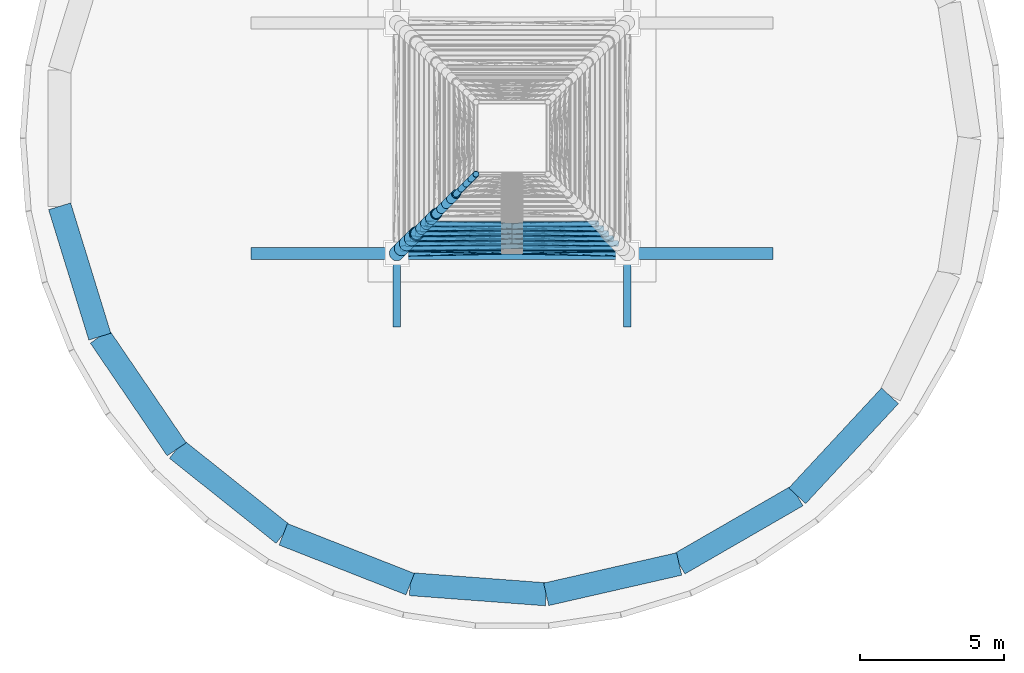
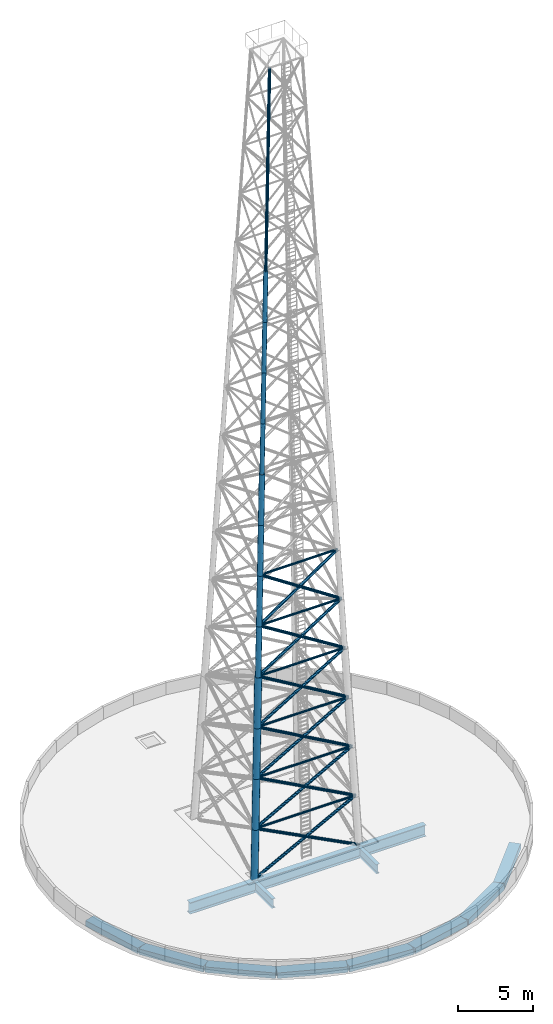
# One storey, part 1 of 9: 34 members, 11 beams.
"""IFC4 building model written with IfcOpenShell, lengths in metres."""

import ifcopenshell
import ifcopenshell.guid

model = None  # the IFC model being written
_history = None  # IfcOwnerHistory: only IFC2X3 demands one
_inside = {}  # id of a spatial element -> (the spatial element, [elements in it])
_under = {}  # id of a project, library or spatial element -> (it, [spatial elements below it])
_declared = {}  # id of a project -> (the project, [libraries it declares])
_typed = {}  # id of a type object -> (the type object, [elements of that type])
_made_of = {}  # id of a material, layer set ... -> (it, [elements and type objects made of it])


def new_model(schema):
    """Start an empty IFC model of exactly this schema.

    Asked for "IFC4X3", IfcOpenShell would pick the latest addendum, in which some entities
    have other attributes; the version numbers below select the first issue.
    IFC2X3 requires an IfcOwnerHistory on every rooted entity: one is made here for all.
    """
    global model, _history
    if schema == "IFC4X3":
        model = ifcopenshell.file(schema_version=(4, 3, 0, 0))
    else:
        model = ifcopenshell.file(schema=schema)
    _inside.clear()
    _under.clear()
    _declared.clear()
    _typed.clear()
    _made_of.clear()
    _history = None
    if model.schema == "IFC2X3":
        org = make("IfcOrganization", Name="unknown")
        user = make(
            "IfcPersonAndOrganization",
            ThePerson=make("IfcPerson", FamilyName="unknown"),
            TheOrganization=org,
        )
        app = make(
            "IfcApplication",
            ApplicationDeveloper=org,
            Version="unknown",
            ApplicationFullName="unknown",
            ApplicationIdentifier="unknown",
        )
        _history = make(
            "IfcOwnerHistory",
            OwningUser=user,
            OwningApplication=app,
            ChangeAction="ADDED",
            CreationDate=0,
        )
    return model


def make(cls, **values):
    """One entity of the class cls with the attributes given. An attribute that is None is left unset."""
    return model.create_entity(
        cls, **{name: value for name, value in values.items() if value is not None}
    )


def rooted(cls, **values):
    """An entity with a GlobalId (a new one), such as an element, a storey or a relation."""
    return make(cls, GlobalId=ifcopenshell.guid.new(), OwnerHistory=_history, **values)


def si_unit(unit_type, name, prefix=None):
    """IfcSIUnit, for example si_unit("LENGTHUNIT", "METRE", prefix="MILLI")."""
    return make("IfcSIUnit", UnitType=unit_type, Prefix=prefix, Name=name)


def assignment(units):
    """IfcUnitAssignment: the units of a project."""
    return None if units is None else make("IfcUnitAssignment", Units=units)


def point(xyz):
    """IfcCartesianPoint."""
    return None if xyz is None else make("IfcCartesianPoint", Coordinates=xyz)


def direction(xyz):
    """IfcDirection."""
    return None if xyz is None else make("IfcDirection", DirectionRatios=xyz)


def frame(location, z_axis=None, x_axis=None):
    """IfcAxis2Placement3D, a coordinate frame: its origin and axes. An axis left out is left unset."""
    return make(
        "IfcAxis2Placement3D",
        Location=point(location),
        Axis=direction(z_axis),
        RefDirection=direction(x_axis),
    )


def frame_2d(location, x_axis=None):
    """IfcAxis2Placement2D, a coordinate frame in the plane: its origin and x axis."""
    return make(
        "IfcAxis2Placement2D", Location=point(location), RefDirection=direction(x_axis)
    )


def origin():
    """The frame at (0, 0, 0) with its axes left unset."""
    return frame((0.0, 0.0, 0.0))


def origin_2d():
    """The frame at (0, 0) in the plane with its x axis left unset."""
    return frame_2d((0.0, 0.0))


def place(relative_to, where):
    """IfcLocalPlacement: puts the frame where relative to a parent placement (None: the world)."""
    return make(
        "IfcLocalPlacement", PlacementRelTo=relative_to, RelativePlacement=where
    )


def context(
    kind, dimensions, precision=None, world=None, true_north=None, identifier=None
):
    """IfcGeometricRepresentationContext, for example the 3D "Model" context."""
    return make(
        "IfcGeometricRepresentationContext",
        ContextIdentifier=identifier,
        ContextType=kind,
        CoordinateSpaceDimension=dimensions,
        Precision=precision,
        WorldCoordinateSystem=world,
        TrueNorth=true_north,
    )


def subcontext(parent, identifier, kind, view, scale=None):
    """IfcGeometricRepresentationSubContext, for example "Body" below "Model"."""
    return make(
        "IfcGeometricRepresentationSubContext",
        ContextIdentifier=identifier,
        ContextType=kind,
        ParentContext=parent,
        TargetScale=scale,
        TargetView=view,
    )


def project(units=None, contexts=None):
    """IfcProject with its units and contexts."""
    return rooted(
        "IfcProject",
        Name="project",
        RepresentationContexts=contexts,
        UnitsInContext=assignment(units),
    )


def spatial(cls, under=None, at=None, **own):
    """A site, building, storey or space (cls), placed at a placement, below another one or the project."""
    s = rooted(cls, ObjectPlacement=at, **own)
    if under is not None:
        _under.setdefault(under.id(), (under, []))[1].append(s)
    return s


def profile(cls, at=None, kind="AREA", **sizes):
    """A parametric profile (cls). Its sizes go by their IFC names, for example OverallWidth=200.0."""
    return make(cls, ProfileType=kind, Position=at, **sizes)


def rectangle(**sizes):
    """IfcRectangleProfileDef."""
    return profile("IfcRectangleProfileDef", **sizes)


def hollow_circle(**sizes):
    """IfcCircleHollowProfileDef."""
    return profile("IfcCircleHollowProfileDef", **sizes)


def i_section(**sizes):
    """IfcIShapeProfileDef."""
    return profile("IfcIShapeProfileDef", **sizes)


def extrude(swept, where, along, depth):
    """IfcExtrudedAreaSolid: the profile swept, set in the frame where, extruded along a direction by depth."""
    return make(
        "IfcExtrudedAreaSolid",
        SweptArea=swept,
        Position=where,
        ExtrudedDirection=direction(along),
        Depth=depth,
    )


def shape(context_of_items, identifier, shape_type, items):
    """IfcShapeRepresentation: the items that make up one representation, for example the "Body"."""
    return make(
        "IfcShapeRepresentation",
        ContextOfItems=context_of_items,
        RepresentationIdentifier=identifier,
        RepresentationType=shape_type,
        Items=items,
    )


def material(Name=None, Category=None):
    """IfcMaterial."""
    return make("IfcMaterial", Name=Name, Category=Category)


def material_profile(
    of_material, cross_section, Name=None, Category=None, Priority=None
):
    """IfcMaterialProfile: a cross section and its material."""
    return make(
        "IfcMaterialProfile",
        Name=Name,
        Material=of_material,
        Profile=cross_section,
        Priority=Priority,
        Category=Category,
    )


def profile_set(profiles, Name=None, composite=None):
    """IfcMaterialProfileSet."""
    return make(
        "IfcMaterialProfileSet",
        Name=Name,
        MaterialProfiles=profiles,
        CompositeProfile=composite,
    )


def made_of(thing, what):
    """Note that an element or type object is made of a material, layer set ...; save() writes the relation."""
    if what is not None:
        _made_of.setdefault(what.id(), (what, []))[1].append(thing)
    return thing


def type_object(cls, material=None, **own):
    """A type object (cls), such as IfcWallType, which elements share."""
    return made_of(rooted(cls, **own), material)


def element(
    cls,
    number,
    at=None,
    inside=None,
    cuts=None,
    type_object=None,
    material=None,
    context=None,
    identifier="Body",
    shape_type=None,
    held_by="IfcProductDefinitionShape",
    body=None,
    shapes=None,
    **own,
):
    """One element of the class cls, such as IfcWall. Its Tag is "e" and its number.

    at: its placement. inside: the storey or other place that contains it. cuts: it is an
    opening in that element (IfcRelVoidsElement). A single representation is given by context,
    identifier, shape_type and body (its items); several are given by shapes. held_by: the class
    of the entity that holds the representations. save() writes the other relations.
    """
    e = rooted(cls, Tag="e%d" % number, ObjectPlacement=at, **own)
    if body is not None:
        shapes = [shape(context, identifier, shape_type, body)]
    if shapes is not None:
        e.Representation = make(held_by, Representations=shapes)
    if inside is not None:
        _inside.setdefault(inside.id(), (inside, []))[1].append(e)
    if cuts is not None:
        rooted(
            "IfcRelVoidsElement", RelatingBuildingElement=cuts, RelatedOpeningElement=e
        )
    if type_object is not None:
        _typed.setdefault(type_object.id(), (type_object, []))[1].append(e)
    return made_of(e, material)


def aggregate(whole, parts):
    """IfcRelAggregates: a whole, such as a stair, and the parts it consists of."""
    return rooted("IfcRelAggregates", RelatingObject=whole, RelatedObjects=parts)


def save(model, path):
    """Write the relations noted so far, then the file.

    IfcRelAggregates (storeys below a building ...), IfcRelContainedInSpatialStructure (elements
    in a storey), IfcRelDefinesByType, IfcRelAssociatesMaterial and IfcRelDeclares: one each for
    every whole, place, type object, material and project.
    """
    for whole, parts in _under.values():
        aggregate(whole, parts)
    for where, things in _inside.values():
        rooted(
            "IfcRelContainedInSpatialStructure",
            RelatedElements=things,
            RelatingStructure=where,
        )
    for kind, things in _typed.values():
        rooted("IfcRelDefinesByType", RelatedObjects=things, RelatingType=kind)
    for what, things in _made_of.values():
        rooted("IfcRelAssociatesMaterial", RelatedObjects=things, RelatingMaterial=what)
    for by, libraries in _declared.values():
        rooted("IfcRelDeclares", RelatingContext=by, RelatedDefinitions=libraries)
    model.write(path)


model = new_model("IFC4")

# Units and contexts
model_context = context("Model", 3, precision=1e-05, world=origin(), true_north=direction((0.0, 1.0)))
body_context = subcontext(model_context, "Body", "Model", "MODEL_VIEW")
ifc_project = project(units=[si_unit("LENGTHUNIT", "METRE"), si_unit("AREAUNIT", "SQUARE_METRE"), si_unit("VOLUMEUNIT", "CUBIC_METRE"), si_unit("PLANEANGLEUNIT", "RADIAN"), si_unit("MASSUNIT", "GRAM", prefix="KILO")], contexts=[model_context])

# Site, building, storey
site_placement = place(None, origin())
site = spatial("IfcSite", under=ifc_project, at=site_placement, CompositionType="ELEMENT")
building_placement = place(site_placement, origin())
building = spatial("IfcBuilding", under=site, at=building_placement, Name="Tracery Tower", CompositionType="ELEMENT")
storey_placement = place(building_placement, frame((0.0, 0.0, 364.199951171875)))
storey = spatial("IfcBuildingStorey", under=building, at=storey_placement, Name="Roof", CompositionType="ELEMENT", Elevation=364.199951171875)

# Members
ifc_material_1 = material(Name="Steel S355", Category="steel")
ifc_material_profile_1 = material_profile(ifc_material_1, hollow_circle(Radius=0.109619140625, WallThickness=0.010009765625, at=origin_2d()), Name="CHS 219.1x10")
ifc_profile_set_1 = profile_set([ifc_material_profile_1], Name="Steel S355")
member_type_1 = type_object("IfcMemberType", Name="Mast diagonal MAST CHS 219.1x10", PredefinedType="BRACE", material=ifc_profile_set_1)
for number, where, z_axis, x_axis, name in (
    (1, (-4.0, -4.0, -0.349853515625), (0.892847479676, 0.019603437678, 0.44993230965), (-0.021950797554, 0.999759052215, 0.0), "Mast south face diagonal 1a"),
    (2, (4.0, -4.0, -0.349853515625), (-0.892847479676, 0.019603437678, 0.44993230965), (-0.021950797554, -0.999759052215, 0.0), "Mast south face diagonal 1b"),
):
    element("IfcMember", number, at=place(storey_placement, frame(where, z_axis=z_axis, x_axis=x_axis)), inside=storey, type_object=member_type_1, Name=name, PredefinedType="BRACE", context=body_context, shape_type="SweptSolid", body=[
        extrude(hollow_circle(Radius=0.109619140625, WallThickness=0.010009765625, at=origin_2d()), origin(), (0.0, 0.0, 1.0), 8.767578125),
    ])
for number, where, z_axis, x_axis, name in (
    (3, (-3.828125, -3.828125, 3.594970703125), (0.884446998079, 0.020310891396, 0.466198429083), (-0.022958456407, 0.999736419902, 0.0), "Mast south face diagonal 2a"),
    (4, (3.828125, -3.828125, 3.594970703125), (-0.884446998079, 0.020310891396, 0.466198429083), (-0.022958456407, -0.999736419902, 0.0), "Mast south face diagonal 2b"),
):
    element("IfcMember", number, at=place(storey_placement, frame(where, z_axis=z_axis, x_axis=x_axis)), inside=storey, type_object=member_type_1, Name=name, PredefinedType="BRACE", context=body_context, shape_type="SweptSolid", body=[
        extrude(hollow_circle(Radius=0.109619140625, WallThickness=0.010009765625, at=origin_2d()), origin(), (0.0, 0.0, 1.0), 8.462158203125),
    ])
for number, where, z_axis, x_axis, name in (
    (5, (-3.65625, -3.65625, 7.5400390625), (0.875102676395, 0.02106374057, 0.483478670263), (-0.024063052235, 0.999710442837, 0.0), "Mast south face diagonal 3a"),
    (6, (3.65625, -3.65625, 7.5400390625), (-0.875102676395, 0.02106374057, 0.483478670263), (-0.024063052235, -0.999710442837, 0.0), "Mast south face diagonal 3b"),
):
    element("IfcMember", number, at=place(storey_placement, frame(where, z_axis=z_axis, x_axis=x_axis)), inside=storey, type_object=member_type_1, Name=name, PredefinedType="BRACE", context=body_context, shape_type="SweptSolid", body=[
        extrude(hollow_circle(Radius=0.109619140625, WallThickness=0.010009765625, at=origin_2d()), origin(), (0.0, 0.0, 1.0), 8.15966796875),
    ])
for number, where, z_axis, x_axis, name in (
    (7, (-3.484375, -3.484375, 11.485107421875), (0.864678763798, 0.021865440004, 0.50184911873), (-0.025279275192, 0.99968042806, 0.0), "Mast south face diagonal 4a"),
    (8, (3.484375, -3.484375, 11.485107421875), (-0.864678763798, 0.021865440004, 0.50184911873), (-0.025279275192, -0.99968042806, 0.0), "Mast south face diagonal 4b"),
):
    element("IfcMember", number, at=place(storey_placement, frame(where, z_axis=z_axis, x_axis=x_axis)), inside=storey, type_object=member_type_1, Name=name, PredefinedType="BRACE", context=body_context, shape_type="SweptSolid", body=[
        extrude(hollow_circle(Radius=0.109619140625, WallThickness=0.010009765625, at=origin_2d()), origin(), (0.0, 0.0, 1.0), 7.860595703125),
    ])
for number, where, z_axis, x_axis, name in (
    (9, (-3.3125, -3.3125, 15.429931640625), (0.85297384544, 0.022718431719, 0.521459003044), (-0.026624940503, 0.999645493434, 0.0), "Mast south face diagonal 5a"),
    (10, (3.3125, -3.3125, 15.429931640625), (-0.85297384544, 0.022718431719, 0.521459003044), (-0.026624940503, -0.999645493434, 0.0), "Mast south face diagonal 5b"),
):
    element("IfcMember", number, at=place(storey_placement, frame(where, z_axis=z_axis, x_axis=x_axis)), inside=storey, type_object=member_type_1, Name=name, PredefinedType="BRACE", context=body_context, shape_type="SweptSolid", body=[
        extrude(hollow_circle(Radius=0.109619140625, WallThickness=0.010009765625, at=origin_2d()), origin(), (0.0, 0.0, 1.0), 7.5654296875),
    ])
for number, where, z_axis, x_axis, name in (
    (11, (-3.140625, -3.140625, 19.375), (0.839840558134, 0.023627227978, 0.542318717187), (-0.028121865789, 0.999604502123, 0.0), "Mast south face diagonal 6a"),
    (12, (3.140625, -3.140625, 19.375), (-0.839840558134, 0.023627227978, 0.542318717187), (-0.028121865789, -0.999604502123, 0.0), "Mast south face diagonal 6b"),
):
    element("IfcMember", number, at=place(storey_placement, frame(where, z_axis=z_axis, x_axis=x_axis)), inside=storey, type_object=member_type_1, Name=name, PredefinedType="BRACE", context=body_context, shape_type="SweptSolid", body=[
        extrude(hollow_circle(Radius=0.109619140625, WallThickness=0.010009765625, at=origin_2d()), origin(), (0.0, 0.0, 1.0), 7.2744140625),
    ])

# Beams
ifc_material_2 = material(Name="Steel S355", Category="steel")
ifc_material_profile_2 = material_profile(ifc_material_2, i_section(OverallWidth=0.26513671875, OverallDepth=0.75390625, WebThickness=0.0126953125, FlangeThickness=0.017578125, FilletRadius=0.0166015625, at=origin_2d()), Name="UKB 762x267x147")
ifc_profile_set_2 = profile_set([ifc_material_profile_2], Name="Steel S355")
beam_type_1 = type_object("IfcBeamType", Name="Mast grillage cross girder MAST UKB 762x267x147", PredefinedType="BEAM", material=ifc_profile_set_2)
for number, where, z_axis, x_axis, name in (
    (13, (-4.0, -6.550048828125, -0.77685546875), (0.0, 1.0, 0.0), (-1.0, 0.0, 0.0), "Mast grillage cross girder 1.1"),
    (14, (4.0, -6.550048828125, -0.77685546875), (0.0, 1.0, 0.0), (-1.0, 0.0, 0.0), "Mast grillage cross girder 2.1"),
):
    element("IfcBeam", number, at=place(storey_placement, frame(where, z_axis=z_axis, x_axis=x_axis)), inside=storey, type_object=beam_type_1, Name=name, PredefinedType="BEAM", context=body_context, shape_type="SweptSolid", body=[
        extrude(i_section(OverallWidth=0.26513671875, OverallDepth=0.75390625, WebThickness=0.0126953125, FlangeThickness=0.017578125, FilletRadius=0.0166015625, at=origin_2d()), origin(), (0.0, 0.0, 1.0), 2.3896484375),
    ])
ifc_material_3 = material(Name="Steel S355", Category="steel")
ifc_material_profile_3 = material_profile(ifc_material_3, i_section(OverallWidth=0.42041015625, OverallDepth=0.9208984375, WebThickness=0.021484375, FlangeThickness=0.03662109375, FilletRadius=0.024169921875, at=origin_2d()), Name="UKB 914x419x388")
ifc_profile_set_3 = profile_set([ifc_material_profile_3], Name="Steel S355")
beam_type_2 = type_object("IfcBeamType", Name="Mast grillage girder MAST UKB 914x419x388", PredefinedType="BEAM", material=ifc_profile_set_3)
beam_1_placement = place(storey_placement, frame((-9.050048828125, -4.0, -0.8603515625), z_axis=(1.0, 0.0, 0.0), x_axis=(0.0, 1.0, 0.0)))
element("IfcBeam", 15, at=beam_1_placement, inside=storey, type_object=beam_type_2, Name="Mast grillage girder 1", PredefinedType="BEAM", context=body_context, shape_type="SweptSolid", body=[
    extrude(i_section(OverallWidth=0.42041015625, OverallDepth=0.9208984375, WebThickness=0.021484375, FlangeThickness=0.03662109375, FilletRadius=0.024169921875, at=origin_2d()), origin(), (0.0, 0.0, 1.0), 18.10009765625),
])

# Members
ifc_material_4 = material(Name="Steel S355", Category="steel")
ifc_material_profile_4 = material_profile(ifc_material_4, hollow_circle(Radius=0.109619140625, WallThickness=0.010009765625, at=origin_2d()), Name="CHS 219.1x10")
ifc_profile_set_4 = profile_set([ifc_material_profile_4], Name="Steel S355")
member_type_2 = type_object("IfcMemberType", Name="Mast leg MAST CHS 219.1x10", PredefinedType="CHORD", material=ifc_profile_set_4)
member_1_placement = place(storey_placement, frame((-1.9375, -1.9375, 46.990234375), z_axis=(0.043487274046, 0.043487274046, 0.998107065395), x_axis=(-0.707106781187, 0.707106781187, 0.0)))
element("IfcMember", 16, at=member_1_placement, inside=storey, type_object=member_type_2, Name="Mast leg 1 panel 13", PredefinedType="CHORD", context=body_context, shape_type="SweptSolid", body=[
    extrude(hollow_circle(Radius=0.109619140625, WallThickness=0.010009765625, at=origin_2d()), origin(), (0.0, 0.0, 1.0), 3.952392578125),
])
for number, where, z_axis, x_axis, name in (
    (17, (-1.765625, -1.765625, 50.93505859375), (0.043484593013, 0.043484593013, 0.998107299012), (-0.707106781187, 0.707106781187, 0.0), "Mast leg 1 panel 14"),
    (18, (-1.59375, -1.59375, 54.880126953125), (0.043484593013, 0.043484593013, 0.998107299012), (-0.707106781187, 0.707106781187, 0.0), "Mast leg 1 panel 15"),
    (19, (-1.421875, -1.421875, 58.8251953125), (0.043484593013, 0.043484593013, 0.998107299012), (-0.707106781187, 0.707106781187, 0.0), "Mast leg 1 panel 16"),
):
    element("IfcMember", number, at=place(storey_placement, frame(where, z_axis=z_axis, x_axis=x_axis)), inside=storey, type_object=member_type_2, Name=name, PredefinedType="CHORD", context=body_context, shape_type="SweptSolid", body=[
        extrude(hollow_circle(Radius=0.109619140625, WallThickness=0.010009765625, at=origin_2d()), origin(), (0.0, 0.0, 1.0), 3.95263671875),
    ])
ifc_material_5 = material(Name="Steel S355", Category="steel")
ifc_material_profile_5 = material_profile(ifc_material_5, hollow_circle(Radius=0.161865234375, WallThickness=0.01611328125, at=origin_2d()), Name="CHS 323.9x16")
ifc_profile_set_5 = profile_set([ifc_material_profile_5], Name="Steel S355")
member_type_3 = type_object("IfcMemberType", Name="Mast leg MAST CHS 323.9x16", PredefinedType="CHORD", material=ifc_profile_set_5)
member_2_placement = place(storey_placement, frame((-2.625, -2.625, 31.210205078125), z_axis=(0.043487274046, 0.043487274046, 0.998107065395), x_axis=(-0.707106781187, 0.707106781187, 0.0)))
element("IfcMember", 20, at=member_2_placement, inside=storey, type_object=member_type_3, Name="Mast leg 1 panel 9", PredefinedType="CHORD", context=body_context, shape_type="SweptSolid", body=[
    extrude(hollow_circle(Radius=0.161865234375, WallThickness=0.01611328125, at=origin_2d()), origin(), (0.0, 0.0, 1.0), 3.952392578125),
])
for number, where, z_axis, x_axis, name in (
    (21, (-2.453125, -2.453125, 35.155029296875), (0.043484593013, 0.043484593013, 0.998107299012), (-0.707106781187, 0.707106781187, 0.0), "Mast leg 1 panel 10"),
    (22, (-2.28125, -2.28125, 39.10009765625), (0.043484593013, 0.043484593013, 0.998107299012), (-0.707106781187, 0.707106781187, 0.0), "Mast leg 1 panel 11"),
    (23, (-2.109375, -2.109375, 43.045166015625), (0.043484593013, 0.043484593013, 0.998107299012), (-0.707106781187, 0.707106781187, 0.0), "Mast leg 1 panel 12"),
):
    element("IfcMember", number, at=place(storey_placement, frame(where, z_axis=z_axis, x_axis=x_axis)), inside=storey, type_object=member_type_3, Name=name, PredefinedType="CHORD", context=body_context, shape_type="SweptSolid", body=[
        extrude(hollow_circle(Radius=0.161865234375, WallThickness=0.01611328125, at=origin_2d()), origin(), (0.0, 0.0, 1.0), 3.95263671875),
    ])
ifc_material_6 = material(Name="Steel S355", Category="steel")
ifc_material_profile_6 = material_profile(ifc_material_6, hollow_circle(Radius=0.203125, WallThickness=0.02001953125, at=origin_2d()), Name="CHS 406.4x20")
ifc_profile_set_6 = profile_set([ifc_material_profile_6], Name="Steel S355")
member_type_4 = type_object("IfcMemberType", Name="Mast leg MAST CHS 406.4x20", PredefinedType="CHORD", material=ifc_profile_set_6)
for number, where, z_axis, x_axis, name in (
    (24, (-3.3125, -3.3125, 15.429931640625), (0.043484593013, 0.043484593013, 0.998107299012), (-0.707106781187, 0.707106781187, 0.0), "Mast leg 1 panel 5"),
    (25, (-3.140625, -3.140625, 19.375), (0.043484593013, 0.043484593013, 0.998107299012), (-0.707106781187, 0.707106781187, 0.0), "Mast leg 1 panel 6"),
    (26, (-2.96875, -2.96875, 23.320068359375), (0.043484593013, 0.043484593013, 0.998107299012), (-0.707106781187, 0.707106781187, 0.0), "Mast leg 1 panel 7"),
    (27, (-2.796875, -2.796875, 27.26513671875), (0.043484593013, 0.043484593013, 0.998107299012), (-0.707106781187, 0.707106781187, 0.0), "Mast leg 1 panel 8"),
):
    element("IfcMember", number, at=place(storey_placement, frame(where, z_axis=z_axis, x_axis=x_axis)), inside=storey, type_object=member_type_4, Name=name, PredefinedType="CHORD", context=body_context, shape_type="SweptSolid", body=[
        extrude(hollow_circle(Radius=0.203125, WallThickness=0.02001953125, at=origin_2d()), origin(), (0.0, 0.0, 1.0), 3.95263671875),
    ])
ifc_material_7 = material(Name="Steel S355", Category="steel")
ifc_material_profile_7 = material_profile(ifc_material_7, hollow_circle(Radius=0.25390625, WallThickness=0.02490234375, at=origin_2d()), Name="CHS 508x25")
ifc_profile_set_7 = profile_set([ifc_material_profile_7], Name="Steel S355")
member_type_5 = type_object("IfcMemberType", Name="Mast leg MAST CHS 508x25", PredefinedType="CHORD", material=ifc_profile_set_7)
member_3_placement = place(storey_placement, frame((-4.0, -4.0, -0.349853515625), z_axis=(0.043487274046, 0.043487274046, 0.998107065395), x_axis=(-0.707106781187, 0.707106781187, 0.0)))
element("IfcMember", 28, at=member_3_placement, inside=storey, type_object=member_type_5, Name="Mast leg 1 panel 1", PredefinedType="CHORD", context=body_context, shape_type="SweptSolid", body=[
    extrude(hollow_circle(Radius=0.25390625, WallThickness=0.02490234375, at=origin_2d()), origin(), (0.0, 0.0, 1.0), 3.952392578125),
])
for number, where, z_axis, x_axis, name in (
    (29, (-3.828125, -3.828125, 3.594970703125), (0.043484593013, 0.043484593013, 0.998107299012), (-0.707106781187, 0.707106781187, 0.0), "Mast leg 1 panel 2"),
    (30, (-3.65625, -3.65625, 7.5400390625), (0.043484593013, 0.043484593013, 0.998107299012), (-0.707106781187, 0.707106781187, 0.0), "Mast leg 1 panel 3"),
):
    element("IfcMember", number, at=place(storey_placement, frame(where, z_axis=z_axis, x_axis=x_axis)), inside=storey, type_object=member_type_5, Name=name, PredefinedType="CHORD", context=body_context, shape_type="SweptSolid", body=[
        extrude(hollow_circle(Radius=0.25390625, WallThickness=0.02490234375, at=origin_2d()), origin(), (0.0, 0.0, 1.0), 3.95263671875),
    ])
member_4_placement = place(storey_placement, frame((-3.484375, -3.484375, 11.485107421875), z_axis=(0.043487274046, 0.043487274046, 0.998107065395), x_axis=(-0.707106781187, 0.707106781187, 0.0)))
element("IfcMember", 31, at=member_4_placement, inside=storey, type_object=member_type_5, Name="Mast leg 1 panel 4", PredefinedType="CHORD", context=body_context, shape_type="SweptSolid", body=[
    extrude(hollow_circle(Radius=0.25390625, WallThickness=0.02490234375, at=origin_2d()), origin(), (0.0, 0.0, 1.0), 3.952392578125),
])
ifc_material_8 = material(Name="Steel S355", Category="steel")
ifc_material_profile_8 = material_profile(ifc_material_8, hollow_circle(Radius=0.084228515625, WallThickness=0.008056640625, at=origin_2d()), Name="CHS 168.3x8")
ifc_profile_set_8 = profile_set([ifc_material_profile_8], Name="Steel S355")
member_type_6 = type_object("IfcMemberType", Name="Mast strut MAST CHS 168.3x8", PredefinedType="STRUT", material=ifc_profile_set_8)
member_5_placement = place(storey_placement, frame((-3.828125, -3.828125, 3.594970703125), z_axis=(1.0, 0.0, 0.0), x_axis=(0.0, 1.0, 0.0)))
element("IfcMember", 32, at=member_5_placement, inside=storey, type_object=member_type_6, Name="Mast south face strut 1", PredefinedType="STRUT", context=body_context, shape_type="SweptSolid", body=[
    extrude(hollow_circle(Radius=0.084228515625, WallThickness=0.008056640625, at=origin_2d()), origin(), (0.0, 0.0, 1.0), 7.65625),
])
member_6_placement = place(storey_placement, frame((-3.65625, -3.65625, 7.5400390625), z_axis=(1.0, 0.0, 0.0), x_axis=(0.0, 1.0, 0.0)))
element("IfcMember", 33, at=member_6_placement, inside=storey, type_object=member_type_6, Name="Mast south face strut 2", PredefinedType="STRUT", context=body_context, shape_type="SweptSolid", body=[
    extrude(hollow_circle(Radius=0.084228515625, WallThickness=0.008056640625, at=origin_2d()), origin(), (0.0, 0.0, 1.0), 7.3125),
])
member_7_placement = place(storey_placement, frame((-3.484375, -3.484375, 11.485107421875), z_axis=(1.0, 0.0, 0.0), x_axis=(0.0, 1.0, 0.0)))
element("IfcMember", 34, at=member_7_placement, inside=storey, type_object=member_type_6, Name="Mast south face strut 3", PredefinedType="STRUT", context=body_context, shape_type="SweptSolid", body=[
    extrude(hollow_circle(Radius=0.084228515625, WallThickness=0.008056640625, at=origin_2d()), origin(), (0.0, 0.0, 1.0), 6.96875),
])
member_8_placement = place(storey_placement, frame((-3.3125, -3.3125, 15.429931640625), z_axis=(1.0, 0.0, 0.0), x_axis=(0.0, 1.0, 0.0)))
element("IfcMember", 35, at=member_8_placement, inside=storey, type_object=member_type_6, Name="Mast south face strut 4", PredefinedType="STRUT", context=body_context, shape_type="SweptSolid", body=[
    extrude(hollow_circle(Radius=0.084228515625, WallThickness=0.008056640625, at=origin_2d()), origin(), (0.0, 0.0, 1.0), 6.625),
])
member_9_placement = place(storey_placement, frame((-3.140625, -3.140625, 19.375), z_axis=(1.0, 0.0, 0.0), x_axis=(0.0, 1.0, 0.0)))
element("IfcMember", 36, at=member_9_placement, inside=storey, type_object=member_type_6, Name="Mast south face strut 5", PredefinedType="STRUT", context=body_context, shape_type="SweptSolid", body=[
    extrude(hollow_circle(Radius=0.084228515625, WallThickness=0.008056640625, at=origin_2d()), origin(), (0.0, 0.0, 1.0), 6.28125),
])
member_10_placement = place(storey_placement, frame((-2.96875, -2.96875, 23.320068359375), z_axis=(1.0, 0.0, 0.0), x_axis=(0.0, 1.0, 0.0)))
element("IfcMember", 37, at=member_10_placement, inside=storey, type_object=member_type_6, Name="Mast south face strut 6", PredefinedType="STRUT", context=body_context, shape_type="SweptSolid", body=[
    extrude(hollow_circle(Radius=0.084228515625, WallThickness=0.008056640625, at=origin_2d()), origin(), (0.0, 0.0, 1.0), 5.9375),
])

# Beams
ifc_material_9 = material(Name="Concrete C40/50", Category="concrete")
ifc_material_profile_9 = material_profile(ifc_material_9, rectangle(XDim=0.800048828125, YDim=0.449951171875, at=origin_2d()), Name="RC 800x450")
ifc_profile_set_9 = profile_set([ifc_material_profile_9], Name="Concrete C40/50")
beam_type_3 = type_object("IfcBeamType", Name="Perimeter band beam 800x450 under 400 slab", PredefinedType="BEAM", material=ifc_profile_set_9)
beam_2_placement = place(storey_placement, frame((-15.697021484375, -2.365966796875, -0.625), z_axis=(0.294756498371, -0.955572397397, 0.0), x_axis=(0.955572397397, 0.294756498371, 0.0)))
element("IfcBeam", 38, at=beam_2_placement, inside=storey, type_object=beam_type_3, Name="Perimeter beam 2.11 under Roof", PredefinedType="BEAM", context=body_context, shape_type="SweptSolid", body=[
    extrude(rectangle(XDim=0.800048828125, YDim=0.449951171875, at=origin_2d()), origin(), (0.0, 0.0, 1.0), 4.73193359375),
])
beam_3_placement = place(storey_placement, frame((-14.30224609375, -6.8876953125, -0.625), z_axis=(0.563338425682, -0.826226251186, 0.0), x_axis=(0.826226251186, 0.563338425682, 0.0)))
element("IfcBeam", 39, at=beam_3_placement, inside=storey, type_object=beam_type_3, Name="Perimeter beam 2.12 under Roof", PredefinedType="BEAM", context=body_context, shape_type="SweptSolid", body=[
    extrude(rectangle(XDim=0.800048828125, YDim=0.449951171875, at=origin_2d()), origin(), (0.0, 0.0, 1.0), 4.731689453125),
])
beam_4_placement = place(storey_placement, frame((-11.63671875, -10.797119140625, -0.625), z_axis=(0.781829262657, -0.623492585404, 0.0), x_axis=(0.623492585404, 0.781829262657, 0.0)))
element("IfcBeam", 40, at=beam_4_placement, inside=storey, type_object=beam_type_3, Name="Perimeter beam 2.13 under Roof", PredefinedType="BEAM", context=body_context, shape_type="SweptSolid", body=[
    extrude(rectangle(XDim=0.800048828125, YDim=0.449951171875, at=origin_2d()), origin(), (0.0, 0.0, 1.0), 4.732177734375),
])
beam_5_placement = place(storey_placement, frame((-7.93701171875, -13.74755859375, -0.625), z_axis=(0.930866215869, -0.365360216982, 0.0), x_axis=(0.365360216982, 0.930866215869, 0.0)))
element("IfcBeam", 41, at=beam_5_placement, inside=storey, type_object=beam_type_3, Name="Perimeter beam 2.14 under Roof", PredefinedType="BEAM", context=body_context, shape_type="SweptSolid", body=[
    extrude(rectangle(XDim=0.800048828125, YDim=0.449951171875, at=origin_2d()), origin(), (0.0, 0.0, 1.0), 4.731689453125),
])
for number, where, z_axis, x_axis, name in (
    (42, (-3.532470703125, -15.476318359375, -0.625), (0.997205463138, -0.074707859614, 0.0), (0.074707859614, 0.997205463138, 0.0), "Perimeter beam 2.15 under Roof"),
    (43, (1.186279296875, -15.829833984375, -0.625), (0.974937858428, 0.222477352114, 0.0), (-0.222477352114, 0.974937858428, 0.0), "Perimeter beam 2.16 under Roof"),
    (44, (5.799560546875, -14.777099609375, -0.625), (0.865999135923, 0.500045494511, 0.0), (-0.500045494511, 0.865999135923, 0.0), "Perimeter beam 2.17 under Roof"),
):
    element("IfcBeam", number, at=place(storey_placement, frame(where, z_axis=z_axis, x_axis=x_axis)), inside=storey, type_object=beam_type_3, Name=name, PredefinedType="BEAM", context=body_context, shape_type="SweptSolid", body=[
        extrude(rectangle(XDim=0.800048828125, YDim=0.449951171875, at=origin_2d()), origin(), (0.0, 0.0, 1.0), 4.73193359375),
    ])
beam_6_placement = place(storey_placement, frame((9.8974609375, -12.410888671875, -0.625), z_axis=(0.680195761755, 0.733030508022, 0.0), x_axis=(-0.733030508022, 0.680195761755, 0.0)))
element("IfcBeam", 45, at=beam_6_placement, inside=storey, type_object=beam_type_3, Name="Perimeter beam 2.18 under Roof", PredefinedType="BEAM", context=body_context, shape_type="SweptSolid", body=[
    extrude(rectangle(XDim=0.800048828125, YDim=0.449951171875, at=origin_2d()), origin(), (0.0, 0.0, 1.0), 4.731689453125),
])

save(model, "model.ifc")
